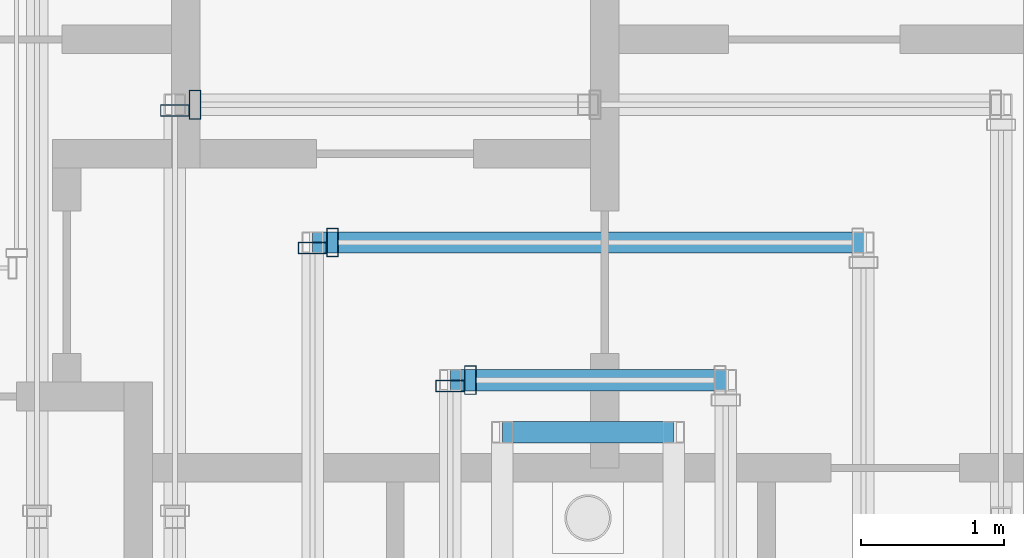
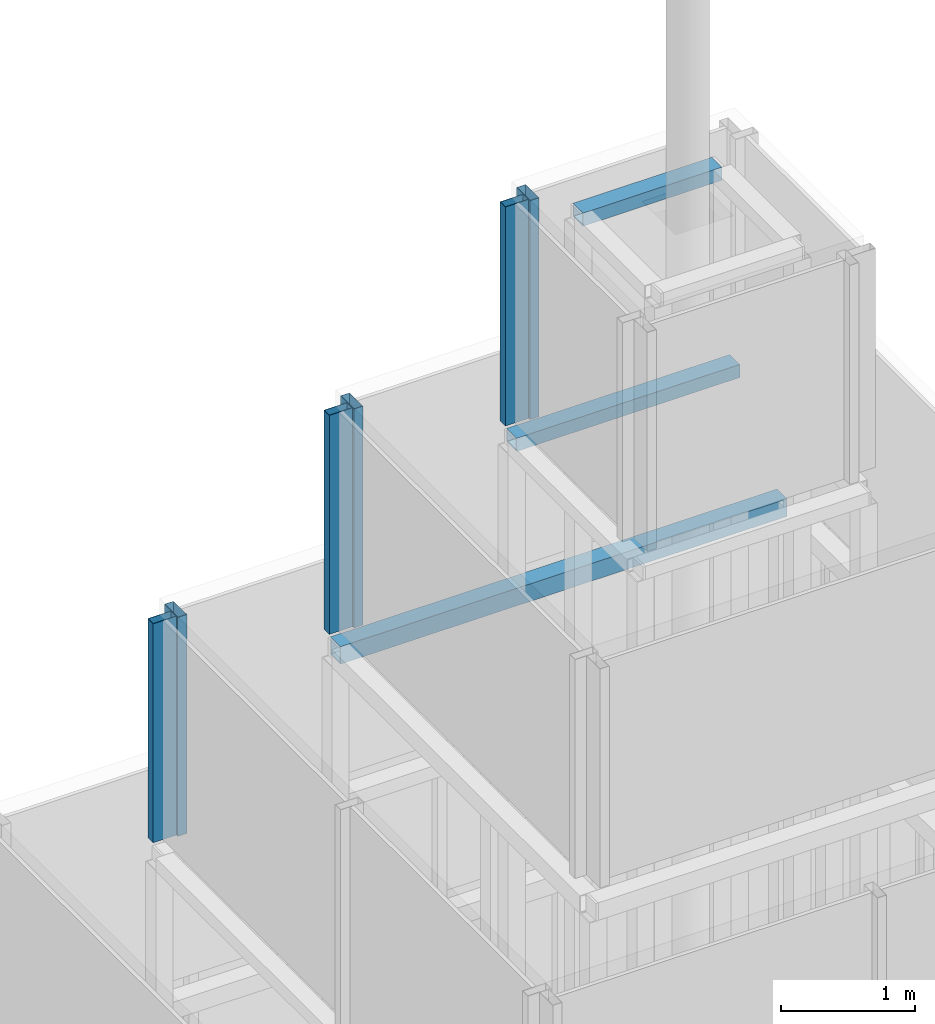
# One storey, part 47 of 62: 6 members, 3 beams, 6 elements without a shape of their own.
"""IFC4 building model written with IfcOpenShell, lengths in metres."""

from ifc_helpers import new_model, si_unit, direction, frame, origin, origin_2d, place, context, subcontext, project, spatial, hollow_rectangle, extrude, material, material_profile, profile_set, type_object, element, aggregate, save


model = new_model("IFC4")

# Units and contexts
model_context = context("Model", 3, precision=1e-05, world=origin(), true_north=direction((0.0, 1.0)))
body_context = subcontext(model_context, "Body", "Model", "MODEL_VIEW")
ifc_project = project(units=[si_unit("LENGTHUNIT", "METRE"), si_unit("AREAUNIT", "SQUARE_METRE"), si_unit("VOLUMEUNIT", "CUBIC_METRE"), si_unit("PLANEANGLEUNIT", "RADIAN"), si_unit("MASSUNIT", "GRAM", prefix="KILO")], contexts=[model_context])

# Site, building, storey
site_placement = place(None, origin())
site = spatial("IfcSite", under=ifc_project, at=site_placement, CompositionType="ELEMENT")
building_placement = place(site_placement, origin())
building = spatial("IfcBuilding", under=site, at=building_placement, Name="Altepetl Exchange Towers", CompositionType="ELEMENT")
storey_placement = place(building_placement, frame((0.0, 0.0, 210.0)))
storey = spatial("IfcBuildingStorey", under=building, at=storey_placement, Name="L53", CompositionType="ELEMENT", Elevation=210.0)

# Beams
ifc_material_1 = material(Name="Steel S355", Category="steel")
ifc_material_profile_1 = material_profile(ifc_material_1, hollow_rectangle(XDim=0.14990234375, YDim=0.1201171875, WallThickness=0.008056640625, at=origin_2d()), Name="RHS 120x150x8")
ifc_profile_set_1 = profile_set([ifc_material_profile_1], Name="Steel S355")
beam_type_1 = type_object("IfcBeamType", Name="Crown ring beam hollow section 150x120x8", PredefinedType="BEAM", material=ifc_profile_set_1)
beam_1_placement = place(storey_placement, frame((111.21435546875, 43.71435546875, 14.139892578125), z_axis=(-1.0, 0.0, 0.0), x_axis=(0.0, -1.0, 0.0)))
element("IfcBeam", 1, at=beam_1_placement, inside=storey, type_object=beam_type_1, Name="Crown ring beam", PredefinedType="BEAM", context=body_context, shape_type="SweptSolid", body=[
    extrude(hollow_rectangle(XDim=0.14990234375, YDim=0.1201171875, WallThickness=0.008056640625, at=origin_2d()), origin(), (0.0, 0.0, 1.0), 1.9287109375),
])
beam_2_placement = place(storey_placement, frame((110.85009765625, 43.35009765625, 16.2900390625), z_axis=(-1.0, 0.0, 0.0), x_axis=(0.0, -1.0, 0.0)))
element("IfcBeam", 2, at=beam_2_placement, inside=storey, type_object=beam_type_1, Name="Crown ring beam", PredefinedType="BEAM", context=body_context, shape_type="SweptSolid", body=[
    extrude(hollow_rectangle(XDim=0.14990234375, YDim=0.1201171875, WallThickness=0.008056640625, at=origin_2d()), origin(), (0.0, 0.0, 1.0), 1.2001953125),
])
ifc_material_profile_2 = material_profile(ifc_material_1, hollow_rectangle(XDim=0.14990234375, YDim=0.159912109375, WallThickness=0.008056640625, at=origin_2d()), Name="RHS 160x150x8")
ifc_profile_set_2 = profile_set([ifc_material_profile_2], Name="Steel S355")
beam_type_2 = type_object("IfcBeamType", Name="Crown ring beam hollow section 150x160x8", PredefinedType="BEAM", material=ifc_profile_set_2)
beam_3_placement = place(storey_placement, frame((112.178466796875, 44.678466796875, 11.969970703125), z_axis=(-1.0, 0.0, 0.0), x_axis=(0.0, -1.0, 0.0)))
element("IfcBeam", 3, at=beam_3_placement, inside=storey, type_object=beam_type_2, Name="Crown ring beam", PredefinedType="BEAM", context=body_context, shape_type="SweptSolid", body=[
    extrude(hollow_rectangle(XDim=0.14990234375, YDim=0.159912109375, WallThickness=0.008056640625, at=origin_2d()), origin(), (0.0, 0.0, 1.0), 3.85693359375),
])

# Curtain wall, member
ifc_material_2 = material(Name="Aluminium 6063-T6 glazing", Category="aluminium")
curtain_wall_type = type_object("IfcCurtainWallType", Name="Crown glazing system", PredefinedType="NOTDEFINED", material=ifc_material_2)
curtain_wall_1_placement = place(storey_placement, origin())
curtain_wall_1 = element("IfcCurtainWall", 4, at=curtain_wall_1_placement, inside=storey, type_object=curtain_wall_type, Name="CW7 run", PredefinedType="NOTDEFINED")
ifc_material_3 = material(Name="Aluminium 6063-T6", Category="aluminium")
ifc_material_profile_3 = material_profile(ifc_material_3, hollow_rectangle(XDim=0.080078125, YDim=0.199951171875, WallThickness=0.0029296875, at=origin_2d()), Name="Mullion 80x200 hollow aluminium")
ifc_profile_set_3 = profile_set([ifc_material_profile_3], Name="Aluminium 6063-T6")
member_type = type_object("IfcMemberType", Name="Mullion 80x200 hollow aluminium", PredefinedType="MULLION", material=ifc_profile_set_3)
member_1_placement = place(storey_placement, frame((107.4970703125, 45.642822265625, 10.050048828125), z_axis=(0.0, 0.0, 1.0), x_axis=(-1.0, 0.0, 0.0)))
member_1 = element("IfcMember", 5, at=member_1_placement, type_object=member_type, Name="MU5 mullion", PredefinedType="MULLION", context=body_context, shape_type="SweptSolid", body=[
    extrude(hollow_rectangle(XDim=0.080078125, YDim=0.199951171875, WallThickness=0.0029296875, at=origin_2d()), origin(), (0.0, 0.0, 1.0), 2.0),
])
aggregate(curtain_wall_1, [member_1])

curtain_wall_2_placement = place(storey_placement, origin())
curtain_wall_2 = element("IfcCurtainWall", 6, at=curtain_wall_2_placement, inside=storey, type_object=curtain_wall_type, Name="CW7 run", PredefinedType="NOTDEFINED")
member_2_placement = place(storey_placement, frame((107.357177734375, 45.602783203125, 10.050048828125), z_axis=(0.0, 0.0, 1.0), x_axis=(0.0, -1.0, 0.0)))
member_2 = element("IfcMember", 7, at=member_2_placement, type_object=member_type, Name="MU5 mullion", PredefinedType="MULLION", context=body_context, shape_type="SweptSolid", body=[
    extrude(hollow_rectangle(XDim=0.080078125, YDim=0.199951171875, WallThickness=0.0029296875, at=origin_2d()), origin(), (0.0, 0.0, 1.0), 2.0),
])
aggregate(curtain_wall_2, [member_2])

curtain_wall_3_placement = place(storey_placement, origin())
curtain_wall_3 = element("IfcCurtainWall", 8, at=curtain_wall_3_placement, inside=storey, type_object=curtain_wall_type, Name="CW7 run", PredefinedType="NOTDEFINED")
member_3_placement = place(storey_placement, frame((108.46142578125, 44.678466796875, 12.199951171875), z_axis=(0.0, 0.0, 1.0), x_axis=(-1.0, 0.0, 0.0)))
member_3 = element("IfcMember", 9, at=member_3_placement, type_object=member_type, Name="MU5 mullion", PredefinedType="MULLION", context=body_context, shape_type="SweptSolid", body=[
    extrude(hollow_rectangle(XDim=0.080078125, YDim=0.199951171875, WallThickness=0.0029296875, at=origin_2d()), origin(), (0.0, 0.0, 1.0), 2.0),
])
aggregate(curtain_wall_3, [member_3])

curtain_wall_4_placement = place(storey_placement, origin())
curtain_wall_4 = element("IfcCurtainWall", 10, at=curtain_wall_4_placement, inside=storey, type_object=curtain_wall_type, Name="CW7 run", PredefinedType="NOTDEFINED")
member_4_placement = place(storey_placement, frame((108.321533203125, 44.638671875, 12.199951171875), z_axis=(0.0, 0.0, 1.0), x_axis=(0.0, -1.0, 0.0)))
member_4 = element("IfcMember", 11, at=member_4_placement, type_object=member_type, Name="MU5 mullion", PredefinedType="MULLION", context=body_context, shape_type="SweptSolid", body=[
    extrude(hollow_rectangle(XDim=0.080078125, YDim=0.199951171875, WallThickness=0.0029296875, at=origin_2d()), origin(), (0.0, 0.0, 1.0), 2.0),
])
aggregate(curtain_wall_4, [member_4])

curtain_wall_5_placement = place(storey_placement, origin())
curtain_wall_5 = element("IfcCurtainWall", 12, at=curtain_wall_5_placement, inside=storey, type_object=curtain_wall_type, Name="CW7 run", PredefinedType="NOTDEFINED")
member_5_placement = place(storey_placement, frame((109.42578125, 43.71435546875, 14.35009765625), z_axis=(0.0, 0.0, 1.0), x_axis=(-1.0, 0.0, 0.0)))
member_5 = element("IfcMember", 13, at=member_5_placement, type_object=member_type, Name="MU5 mullion", PredefinedType="MULLION", context=body_context, shape_type="SweptSolid", body=[
    extrude(hollow_rectangle(XDim=0.080078125, YDim=0.199951171875, WallThickness=0.0029296875, at=origin_2d()), origin(), (0.0, 0.0, 1.0), 2.0),
])
aggregate(curtain_wall_5, [member_5])

curtain_wall_6_placement = place(storey_placement, origin())
curtain_wall_6 = element("IfcCurtainWall", 14, at=curtain_wall_6_placement, inside=storey, type_object=curtain_wall_type, Name="CW7 run", PredefinedType="NOTDEFINED")
member_6_placement = place(storey_placement, frame((109.28564453125, 43.67431640625, 14.35009765625), z_axis=(0.0, 0.0, 1.0), x_axis=(0.0, -1.0, 0.0)))
member_6 = element("IfcMember", 15, at=member_6_placement, type_object=member_type, Name="MU5 mullion", PredefinedType="MULLION", context=body_context, shape_type="SweptSolid", body=[
    extrude(hollow_rectangle(XDim=0.080078125, YDim=0.199951171875, WallThickness=0.0029296875, at=origin_2d()), origin(), (0.0, 0.0, 1.0), 2.0),
])
aggregate(curtain_wall_6, [member_6])

save(model, "model.ifc")
